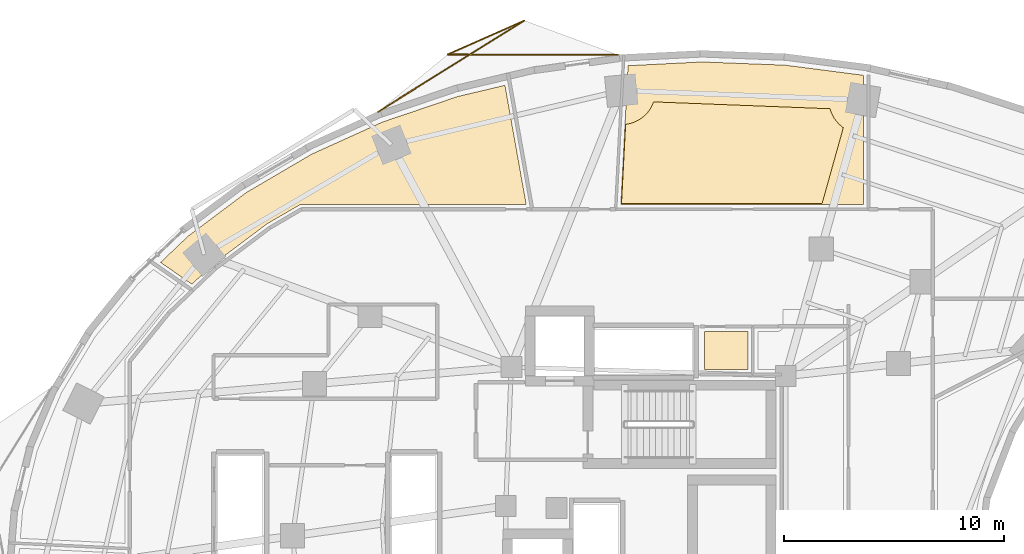
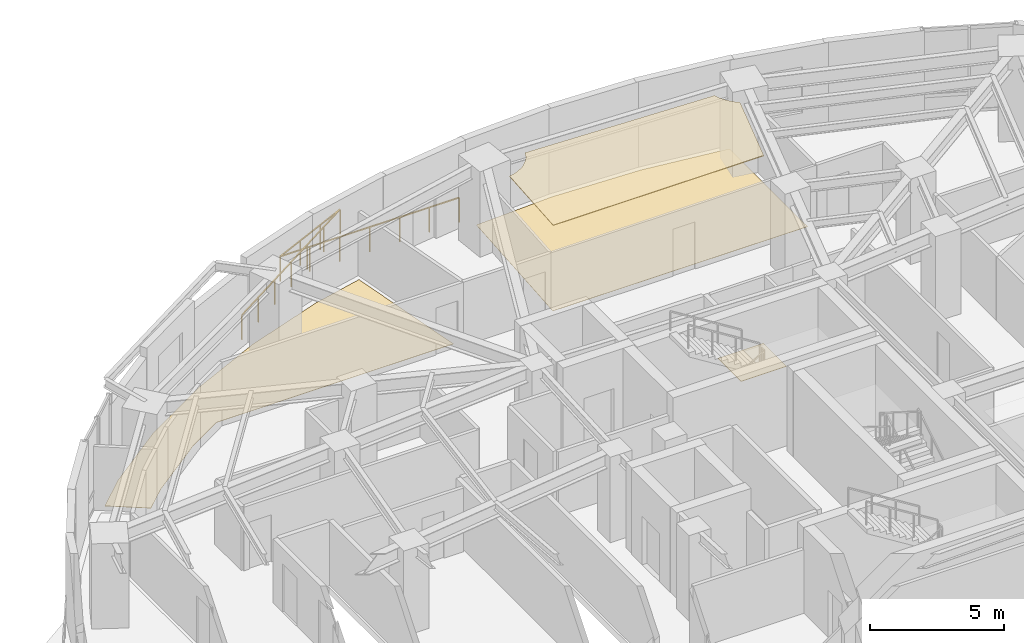
# One storey, part 15 of 15: 4 coverings, 1 railing.
"""IFC4 building model written with IfcOpenShell, lengths in metres."""

from ifc_helpers import new_model, si_unit, direction, frame, origin, origin_2d, place, context, subcontext, project, spatial, polyline, rectangle, outline, extrude, material, layer, layer_set, type_object, element, save


model = new_model("IFC4")

# Units and contexts
model_context = context("Model", 3, precision=1e-05, world=origin(), true_north=direction((0.0, 1.0)))
body_context = subcontext(model_context, "Body", "Model", "MODEL_VIEW")
ifc_project = project(units=[si_unit("LENGTHUNIT", "METRE"), si_unit("AREAUNIT", "SQUARE_METRE"), si_unit("VOLUMEUNIT", "CUBIC_METRE"), si_unit("PLANEANGLEUNIT", "RADIAN"), si_unit("MASSUNIT", "GRAM", prefix="KILO")], contexts=[model_context])

# Site, building, storey
site_placement = place(None, origin())
site = spatial("IfcSite", under=ifc_project, at=site_placement, CompositionType="ELEMENT")
building_placement = place(site_placement, origin())
building = spatial("IfcBuilding", under=site, at=building_placement, Name="Korentha Bioscience Tower", CompositionType="ELEMENT")
storey_placement = place(building_placement, frame((0.0, 0.0, 34.199951171875)))
storey = spatial("IfcBuildingStorey", under=building, at=storey_placement, Name="L07", CompositionType="ELEMENT", Elevation=34.199951171875)

# Covering
ifc_material_1 = material(Name="Vitrified Porcelain Tile", Category="ceramic")
ifc_layer_1 = layer(ifc_material_1, 0.014892578125, Name="Vitrified Porcelain Tile")
ifc_layer_set_1 = layer_set([ifc_layer_1], Name="Vitrified Porcelain Tile (FL-CER)")
covering_type_1 = type_object("IfcCoveringType", Name="Anti-Slip Ceramic Wet-Room Tile Flooring 15", PredefinedType="FLOORING", material=ifc_layer_set_1)
covering_1_placement = place(storey_placement, origin())
element("IfcCovering", 1, at=covering_1_placement, inside=storey, type_object=covering_type_1, Name="L07 Accessible Staff WC Floor Finish", PredefinedType="FLOORING", context=body_context, shape_type="SweptSolid", body=[
    extrude(outline(polyline([(33.8701171875, 36.1298828125), (33.8701171875, 37.8701171875), (35.830078125, 37.8701171875), (35.830078125, 36.1298828125), (33.8701171875, 36.1298828125)])), origin(), (0.0, 0.0, 1.0), 0.01513671875),
])

# Railing
ifc_material_2 = material(Name="Laminated Tempered Safety Glass", Category="glass")
railing_type = type_object("IfcRailingType", Name="Laminated Glass Balcony Guardrail 1150", PredefinedType="BALUSTRADE", material=ifc_material_2)
railing_placement = place(storey_placement, frame((29.94091796875, 50.406982421875, 0.0)))
element("IfcRailing", 2, at=railing_placement, inside=storey, type_object=railing_type, Name="L07 Balcony Guardrail 01", PredefinedType="BALUSTRADE", context=body_context, shape_type="SweptSolid", body=[
    extrude(rectangle(XDim=0.048095703125, YDim=0.048095703125, at=origin_2d()), frame((0.0, 0.0, 1.1259765625), z_axis=(-0.99999656231, 0.002622092458, 0.0), x_axis=(-0.002622092458, -0.99999656231, 0.0)), (0.0, 0.0, 1.0), 7.72802734375),
    extrude(rectangle(XDim=0.048095703125, YDim=0.048095703125, at=origin_2d()), frame((-7.72802734375, 0.020263671875, 1.1259765625), z_axis=(0.914279144248, 0.405084739769, 0.0), x_axis=(-0.405084739769, 0.914279144248, 0.0)), (0.0, 0.0, 1.0), 3.805908203125),
    extrude(rectangle(XDim=0.048095703125, YDim=0.048095703125, at=origin_2d()), frame((-4.248291015625, 1.56201171875, 1.1259765625), z_axis=(-0.848418038492, -0.529326772383, 0.0), x_axis=(0.529326772383, -0.848418038492, 0.0)), (0.0, 0.0, 1.0), 7.804931640625),
    extrude(rectangle(XDim=0.0419921875, YDim=0.0419921875, at=origin_2d()), origin(), (0.0, 0.0, 1.0), 1.101806640625),
    extrude(rectangle(XDim=0.0419921875, YDim=0.0419921875, at=origin_2d()), frame((-1.2880859375, 0.00341796875, 0.0)), (0.0, 0.0, 1.0), 1.101806640625),
    extrude(rectangle(XDim=0.0419921875, YDim=0.0419921875, at=origin_2d()), frame((-2.575927734375, 0.0068359375, 0.0)), (0.0, 0.0, 1.0), 1.101806640625),
    extrude(rectangle(XDim=0.0419921875, YDim=0.0419921875, at=origin_2d()), frame((-3.864013671875, 0.01025390625, 0.0)), (0.0, 0.0, 1.0), 1.101806640625),
    extrude(rectangle(XDim=0.0419921875, YDim=0.0419921875, at=origin_2d()), frame((-5.152099609375, 0.013427734375, 0.0)), (0.0, 0.0, 1.0), 1.101806640625),
    extrude(rectangle(XDim=0.0419921875, YDim=0.0419921875, at=origin_2d()), frame((-6.43994140625, 0.016845703125, 0.0)), (0.0, 0.0, 1.0), 1.101806640625),
    extrude(rectangle(XDim=0.0419921875, YDim=0.0419921875, at=origin_2d()), frame((-7.72802734375, 0.020263671875, 0.0)), (0.0, 0.0, 1.0), 1.101806640625),
    extrude(rectangle(XDim=0.0419921875, YDim=0.0419921875, at=origin_2d()), frame((-6.568115234375, 0.5341796875, 0.0)), (0.0, 0.0, 1.0), 1.101806640625),
    extrude(rectangle(XDim=0.0419921875, YDim=0.0419921875, at=origin_2d()), frame((-5.408203125, 1.048095703125, 0.0)), (0.0, 0.0, 1.0), 1.101806640625),
    extrude(rectangle(XDim=0.0419921875, YDim=0.0419921875, at=origin_2d()), frame((-4.248291015625, 1.56201171875, 0.0)), (0.0, 0.0, 1.0), 1.101806640625),
    extrude(rectangle(XDim=0.0419921875, YDim=0.0419921875, at=origin_2d()), frame((-5.35205078125, 0.87353515625, 0.0)), (0.0, 0.0, 1.0), 1.101806640625),
    extrude(rectangle(XDim=0.0419921875, YDim=0.0419921875, at=origin_2d()), frame((-6.45556640625, 0.184814453125, 0.0)), (0.0, 0.0, 1.0), 1.101806640625),
    extrude(rectangle(XDim=0.0419921875, YDim=0.0419921875, at=origin_2d()), frame((-7.55908203125, -0.503662109375, 0.0)), (0.0, 0.0, 1.0), 1.101806640625),
    extrude(rectangle(XDim=0.0419921875, YDim=0.0419921875, at=origin_2d()), frame((-8.662841796875, -1.192138671875, 0.0)), (0.0, 0.0, 1.0), 1.101806640625),
    extrude(rectangle(XDim=0.0419921875, YDim=0.0419921875, at=origin_2d()), frame((-9.7666015625, -1.880859375, 0.0)), (0.0, 0.0, 1.0), 1.101806640625),
    extrude(rectangle(XDim=0.0419921875, YDim=0.0419921875, at=origin_2d()), frame((-10.8701171875, -2.5693359375, 0.0)), (0.0, 0.0, 1.0), 1.101806640625),
])

# Coverings
ifc_material_3 = material(Name="Antimicrobial Mineral Fibre Board", Category="gypsum")
ifc_layer_2 = layer(ifc_material_3, 0.034912109375, Name="Antimicrobial Mineral Fibre Board")
ifc_layer_set_2 = layer_set([ifc_layer_2], Name="Antimicrobial Mineral Fibre Board (CL-MF35)")
covering_type_2 = type_object("IfcCoveringType", Name="Mineral-Fibre Cleanroom Suspended Ceiling 35", PredefinedType="CEILING", material=ifc_layer_set_2)
covering_2_placement = place(storey_placement, frame((0.0, 0.0, 3.864990234375)))
element("IfcCovering", 3, at=covering_2_placement, inside=storey, type_object=covering_type_2, Name="L07 Visiting Faculty Study Office 12 Acoustic Ceiling", PredefinedType="CEILING", context=body_context, shape_type="SweptSolid", body=[
    extrude(outline(polyline([(30.28759765625, 47.256103515625), (30.544189453125, 47.309326171875), (30.6875, 47.360595703125), (30.955322265625, 47.50390625), (31.07763671875, 47.594482421875), (31.29248046875, 47.809326171875), (31.383056640625, 47.931396484375), (31.461181640625, 48.06201171875), (31.553955078125, 48.276611328125), (39.556884765625, 47.965576171875), (39.62060546875, 47.7734375), (39.763671875, 47.505615234375), (39.95654296875, 47.270751953125), (40.15869140625, 47.102294921875), (39.195556640625, 43.659912109375), (30.09912109375, 43.659912109375), (30.28759765625, 47.256103515625)])), origin(), (0.0, 0.0, 1.0), 0.03515625),
])
ifc_material_4 = material(Name="Chemical-Resistant Epoxy Resin", Category="polymer")
ifc_layer_3 = layer(ifc_material_4, 0.011962890625, Name="Chemical-Resistant Epoxy Resin")
ifc_layer_set_3 = layer_set([ifc_layer_3], Name="Chemical-Resistant Epoxy Resin (FL-EPX)")
covering_type_3 = type_object("IfcCoveringType", Name="Seamless Epoxy Laboratory Flooring 12", PredefinedType="FLOORING", material=ifc_layer_set_3)
covering_3_placement = place(storey_placement, origin())
element("IfcCovering", 4, at=covering_3_placement, inside=storey, type_object=covering_type_3, Name="L07 Visiting Faculty Study Office 12 Floor Finish", PredefinedType="FLOORING", context=body_context, shape_type="SweptSolid", body=[
    extrude(outline(polyline([(33.756103515625, 50.0888671875), (37.5263671875, 49.942138671875), (41.072021484375, 49.4833984375), (41.072021484375, 43.6298828125), (30.0673828125, 43.6298828125), (30.397216796875, 49.91943359375), (33.756103515625, 50.0888671875)])), origin(), (0.0, 0.0, 1.0), 0.011962890625),
])
covering_4_placement = place(storey_placement, origin())
element("IfcCovering", 5, at=covering_4_placement, inside=storey, type_object=covering_type_3, Name="L07 Ethics and Biosafety Briefing Room 14 Floor Finish", PredefinedType="FLOORING", context=body_context, shape_type="SweptSolid", body=[
    extrude(outline(polyline([(10.451904296875, 42.1962890625), (13.09619140625, 44.173828125), (16.0458984375, 45.90478515625), (19.258544921875, 47.36279296875), (22.68701171875, 48.525390625), (24.8125, 49.027587890625), (25.775390625, 43.6298828125), (15.531005859375, 43.6220703125), (14.028076171875, 42.748046875), (11.55224609375, 40.89599609375), (10.619140625, 40.006591796875), (9.193359375, 40.995849609375), (10.451904296875, 42.1962890625)])), origin(), (0.0, 0.0, 1.0), 0.011962890625),
])

save(model, "model.ifc")
